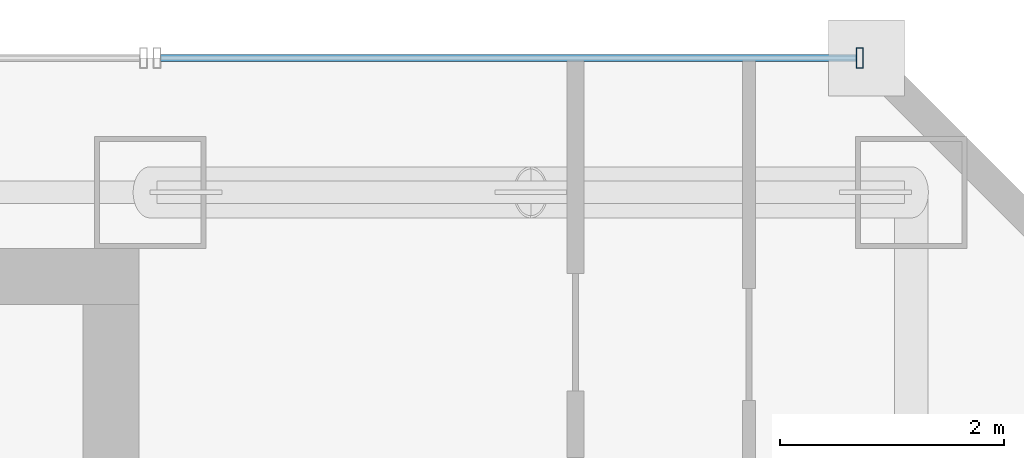
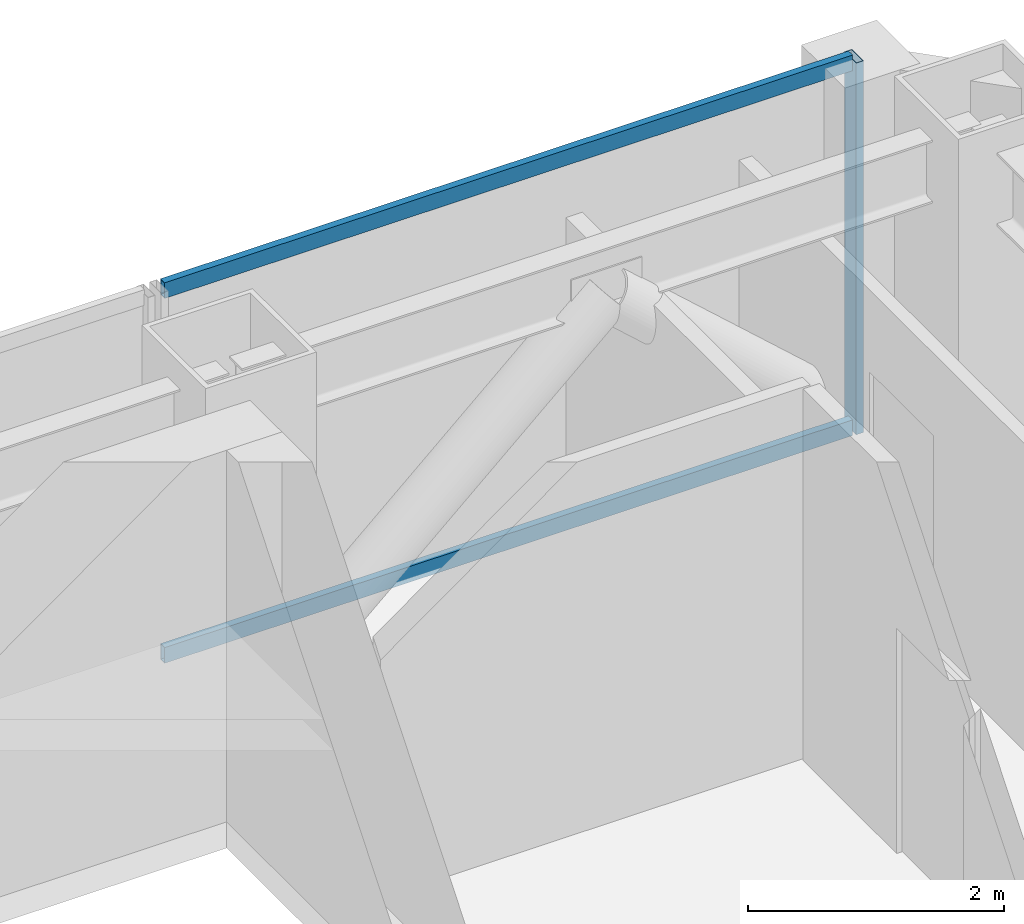
# One storey, part 28 of 36: 3 members, 1 element without a shape of its own.
"""IFC4 building model written with IfcOpenShell, lengths in metres."""

from ifc_helpers import new_model, si_unit, direction, frame, origin, origin_2d, place, context, subcontext, project, spatial, hollow_rectangle, extrude, material, material_profile, profile_set, type_object, element, aggregate, save


model = new_model("IFC4")

# Units and contexts
model_context = context("Model", 3, precision=1e-05, world=origin(), true_north=direction((0.0, 1.0)))
body_context = subcontext(model_context, "Body", "Model", "MODEL_VIEW")
ifc_project = project(units=[si_unit("LENGTHUNIT", "METRE"), si_unit("AREAUNIT", "SQUARE_METRE"), si_unit("VOLUMEUNIT", "CUBIC_METRE"), si_unit("PLANEANGLEUNIT", "RADIAN"), si_unit("MASSUNIT", "GRAM", prefix="KILO")], contexts=[model_context])

# Site, building, storey
site_placement = place(None, origin())
site = spatial("IfcSite", under=ifc_project, at=site_placement, CompositionType="ELEMENT")
building_placement = place(site_placement, origin())
building = spatial("IfcBuilding", under=site, at=building_placement, Name="Saevonmaru Cultural Tower", CompositionType="ELEMENT")
storey_placement = place(building_placement, frame((0.0, 0.0, 156.199951171875)))
storey = spatial("IfcBuildingStorey", under=building, at=storey_placement, Name="L34", CompositionType="ELEMENT", Elevation=156.199951171875)

# Curtain wall, members
ifc_material = material(Name="Satin Bronze Anodised Aluminium", Category="aluminium")
curtain_wall_type = type_object("IfcCurtainWallType", Name="CW-TYP-A", PredefinedType="NOTDEFINED", material=ifc_material)
curtain_wall_placement = place(storey_placement, origin())
curtain_wall = element("IfcCurtainWall", 1, at=curtain_wall_placement, inside=storey, type_object=curtain_wall_type, Name="L34 East Braced Bay Spandrel Curtain Wall E10A", PredefinedType="NOTDEFINED")
ifc_material_profile_1 = material_profile(ifc_material, hollow_rectangle(XDim=0.06494140625, YDim=0.179931640625, WallThickness=0.00390625, at=origin_2d()), Name="ALU-MULL-180x65x4")
ifc_profile_set_1 = profile_set([ifc_material_profile_1], Name="Satin Bronze Anodised Aluminium")
member_type_1 = type_object("IfcMemberType", Name="ML-CW-180x65", PredefinedType="MULLION", material=ifc_profile_set_1)
member_1_placement = place(storey_placement, frame((52.739990234375, 56.0, 0.0), z_axis=(0.0, 0.0, 1.0), x_axis=(-1.0, 0.0, 0.0)))
member_1 = element("IfcMember", 2, at=member_1_placement, type_object=member_type_1, Name="CW-TW-L34-E10A mullion 1", PredefinedType="MULLION", context=body_context, shape_type="SweptSolid", body=[
    extrude(hollow_rectangle(XDim=0.06494140625, YDim=0.179931640625, WallThickness=0.00390625, at=origin_2d()), origin(), (0.0, 0.0, 1.0), 3.550048828125),
])
ifc_material_profile_2 = material_profile(ifc_material, hollow_rectangle(XDim=0.06494140625, YDim=0.14990234375, WallThickness=0.00390625, at=origin_2d()), Name="ALU-TRAN-150x65x4")
ifc_profile_set_2 = profile_set([ifc_material_profile_2], Name="Satin Bronze Anodised Aluminium")
member_type_2 = type_object("IfcMemberType", Name="TR-CW-150x65", PredefinedType="USERDEFINED", material=ifc_profile_set_2)
member_2_placement = place(storey_placement, frame((52.70751953125, 56.0, 0.032470703125), z_axis=(-1.0, 0.0, 0.0), x_axis=(0.0, -1.0, 0.0)))
member_2 = element("IfcMember", 3, at=member_2_placement, type_object=member_type_2, Name="CW-TW-L34-E10A transom 1.1", ObjectType="TRANSOM", PredefinedType="USERDEFINED", context=body_context, shape_type="SweptSolid", body=[
    extrude(hollow_rectangle(XDim=0.06494140625, YDim=0.14990234375, WallThickness=0.00390625, at=origin_2d()), origin(), (0.0, 0.0, 1.0), 6.215087890625),
])
member_3_placement = place(storey_placement, frame((52.70751953125, 56.0, 3.517578125), z_axis=(-1.0, 0.0, 0.0), x_axis=(0.0, -1.0, 0.0)))
member_3 = element("IfcMember", 4, at=member_3_placement, type_object=member_type_2, Name="CW-TW-L34-E10A transom 1.2", ObjectType="TRANSOM", PredefinedType="USERDEFINED", context=body_context, shape_type="SweptSolid", body=[
    extrude(hollow_rectangle(XDim=0.06494140625, YDim=0.14990234375, WallThickness=0.00390625, at=origin_2d()), origin(), (0.0, 0.0, 1.0), 6.215087890625),
])
aggregate(curtain_wall, [member_1, member_2, member_3])

save(model, "model.ifc")
